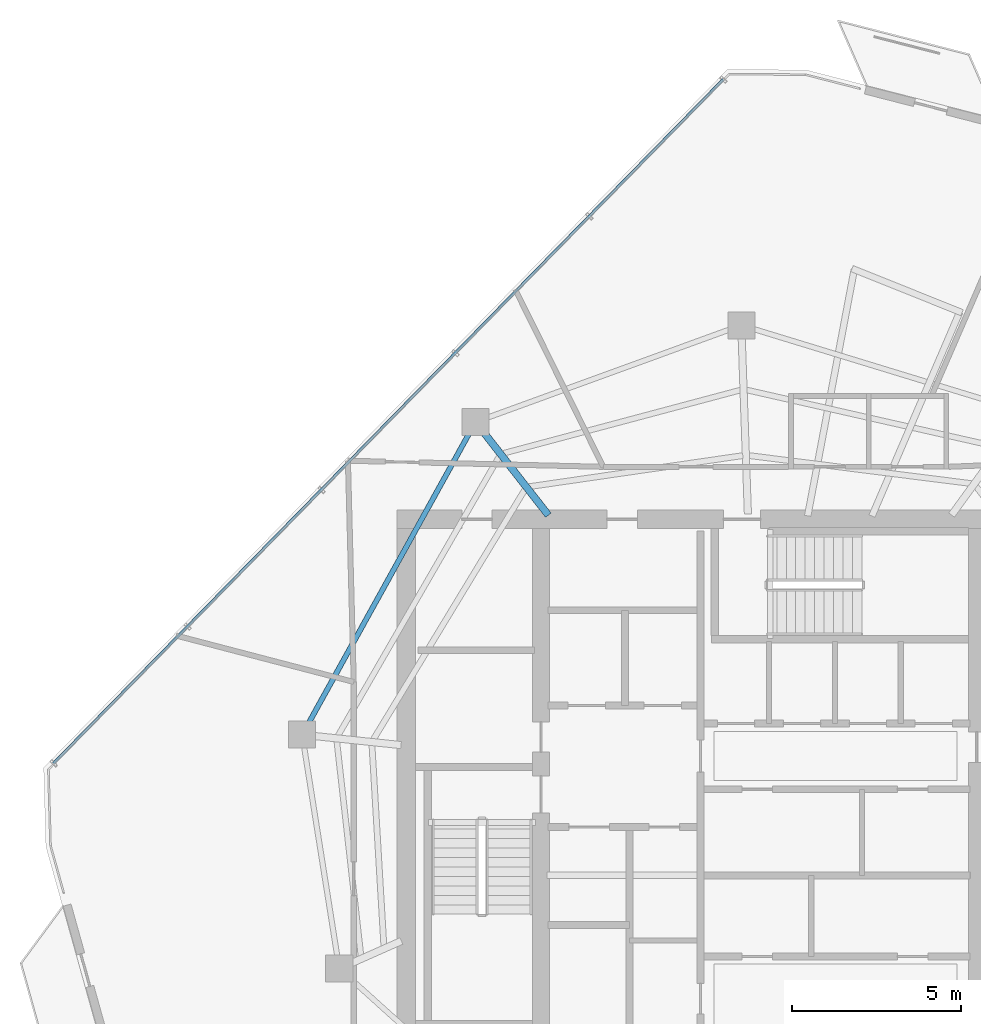
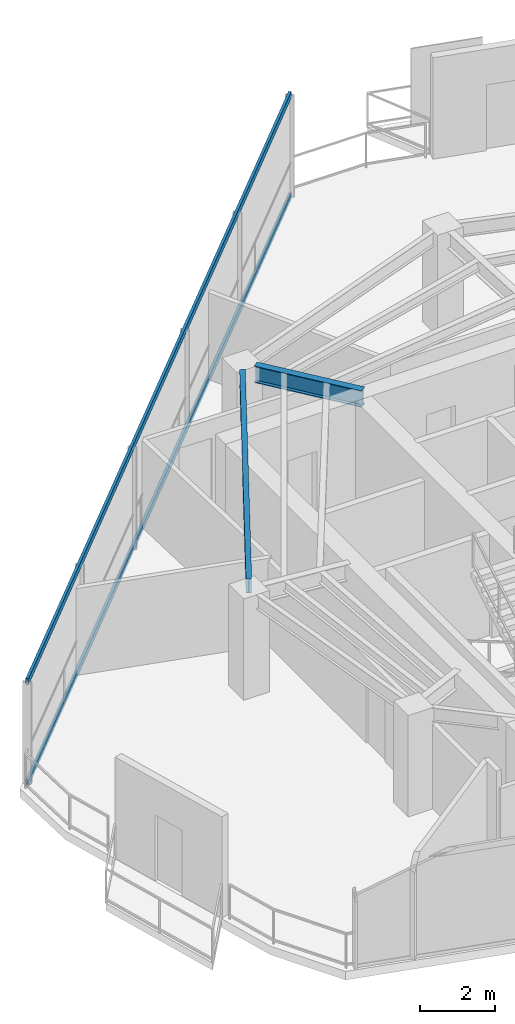
# One storey, part 7 of 18: 2 beams, 2 members, 1 element without a shape of its own.
"""IFC4 building model written with IfcOpenShell, lengths in metres."""

from ifc_helpers import new_model, si_unit, direction, frame, origin, origin_2d, place, context, subcontext, project, spatial, hollow_rectangle, i_section, extrude, material, layer, layer_set, material_profile, profile_set, type_object, element, aggregate, save


model = new_model("IFC4")

# Units and contexts
model_context = context("Model", 3, precision=1e-05, world=origin(), true_north=direction((0.0, 1.0)))
body_context = subcontext(model_context, "Body", "Model", "MODEL_VIEW")
ifc_project = project(units=[si_unit("LENGTHUNIT", "METRE"), si_unit("AREAUNIT", "SQUARE_METRE"), si_unit("VOLUMEUNIT", "CUBIC_METRE"), si_unit("PLANEANGLEUNIT", "RADIAN"), si_unit("MASSUNIT", "GRAM", prefix="KILO")], contexts=[model_context])

# Site, building, storey
site_placement = place(None, origin())
site = spatial("IfcSite", under=ifc_project, at=site_placement, CompositionType="ELEMENT")
building_placement = place(site_placement, origin())
building = spatial("IfcBuilding", under=site, at=building_placement, Name="Qarnah Convention Tower", CompositionType="ELEMENT")
storey_placement = place(building_placement, frame((0.0, 0.0, 239.10009765625)))
storey = spatial("IfcBuildingStorey", under=building, at=storey_placement, Name="L64", CompositionType="ELEMENT", Elevation=239.10009765625)

# Beams
ifc_material_1 = material(Name="Structural steel S355JR", Category="steel")
ifc_material_profile_1 = material_profile(ifc_material_1, i_section(OverallWidth=0.2119140625, OverallDepth=0.5400390625, WebThickness=0.011962890625, FlangeThickness=0.01904296875, at=origin_2d()), Name="W530X109")
ifc_profile_set_1 = profile_set([ifc_material_profile_1], Name="Structural steel S355JR")
beam_type_1 = type_object("IfcBeamType", Name="BM-RAD-W530A", PredefinedType="BEAM", material=ifc_profile_set_1)
beam_1_placement = place(storey_placement, frame((31.013916015625, 34.318115234375, 3.0498046875), z_axis=(-0.61549837076, 0.78813815768, 0.0), x_axis=(-0.78813815768, -0.61549837076, 0.0)))
element("IfcBeam", 1, at=beam_1_placement, inside=storey, type_object=beam_type_1, Name="L64 beam BM-L64-RAD-04", PredefinedType="BEAM", context=body_context, shape_type="SweptSolid", body=[
    extrude(i_section(OverallWidth=0.2119140625, OverallDepth=0.5400390625, WebThickness=0.011962890625, FlangeThickness=0.01904296875, at=origin_2d()), origin(), (0.0, 0.0, 1.0), 3.12255859375),
])
ifc_material_profile_2 = material_profile(ifc_material_1, i_section(OverallWidth=0.154052734375, OverallDepth=0.4599609375, WebThickness=0.009033203125, FlangeThickness=0.014892578125, at=origin_2d()), Name="W460X68")
ifc_profile_set_2 = profile_set([ifc_material_profile_2], Name="Structural steel S355JR")
beam_type_2 = type_object("IfcBeamType", Name="BM-SPN-W460B", PredefinedType="SPANDREL", material=ifc_profile_set_2)
beam_2_placement = place(storey_placement, frame((28.6689453125, 36.737060546875, 3.08984375), z_axis=(-0.48479748752, -0.87462643231, 0.0), x_axis=(0.87462643231, -0.48479748752, 0.0)))
element("IfcBeam", 2, at=beam_2_placement, inside=storey, type_object=beam_type_2, Name="L64 spandrel BM-L64-SPN-04", PredefinedType="SPANDREL", context=body_context, shape_type="SweptSolid", body=[
    extrude(i_section(OverallWidth=0.154052734375, OverallDepth=0.4599609375, WebThickness=0.009033203125, FlangeThickness=0.014892578125, at=origin_2d()), origin(), (0.0, 0.0, 1.0), 9.81005859375),
])

# Curtain wall, members
ifc_material_2 = material(Name="Tempered Low-E dark glass", Category="glass")
ifc_layer = layer(ifc_material_2, 0.176025390625)
ifc_layer_set = layer_set([ifc_layer], Name="Tempered Low-E dark glass")
curtain_wall_type = type_object("IfcCurtainWallType", Name="CWS-05", PredefinedType="NOTDEFINED", material=ifc_layer_set)
curtain_wall_placement = place(storey_placement, origin())
curtain_wall = element("IfcCurtainWall", 3, at=curtain_wall_placement, inside=storey, type_object=curtain_wall_type, Name="L64 unitised curtain wall CW-L64-F1", PredefinedType="NOTDEFINED")
ifc_material_3 = material(Name="Black anodised aluminium", Category="aluminium")
ifc_material_profile_3 = material_profile(ifc_material_3, hollow_rectangle(XDim=0.080078125, YDim=0.2099609375, WallThickness=0.0048828125, at=origin_2d()), Name="TRN-80X210")
ifc_profile_set_3 = profile_set([ifc_material_profile_3], Name="Black anodised aluminium")
member_type = type_object("IfcMemberType", Name="TRN-T5", PredefinedType="USERDEFINED", material=ifc_profile_set_3)
member_1_placement = place(storey_placement, frame((16.362060546875, 26.970947265625, 0.0), z_axis=(0.699638351624, 0.714497149705, 0.0), x_axis=(-0.714497149705, 0.699638351624, 0.0)))
member_1 = element("IfcMember", 4, at=member_1_placement, type_object=member_type, Name="CW-L64-F1 transom 1", ObjectType="TRANSOM", PredefinedType="USERDEFINED", context=body_context, shape_type="SweptSolid", body=[
    extrude(hollow_rectangle(XDim=0.080078125, YDim=0.2099609375, WallThickness=0.0048828125, at=origin_2d()), origin(), (0.0, 0.0, 1.0), 28.343017578125),
])
member_2_placement = place(storey_placement, frame((16.362060546875, 26.970947265625, 3.31982421875), z_axis=(0.699638351624, 0.714497149705, 0.0), x_axis=(-0.714497149705, 0.699638351624, 0.0)))
member_2 = element("IfcMember", 5, at=member_2_placement, type_object=member_type, Name="CW-L64-F1 transom 2", ObjectType="TRANSOM", PredefinedType="USERDEFINED", context=body_context, shape_type="SweptSolid", body=[
    extrude(hollow_rectangle(XDim=0.080078125, YDim=0.2099609375, WallThickness=0.0048828125, at=origin_2d()), origin(), (0.0, 0.0, 1.0), 28.343017578125),
])
aggregate(curtain_wall, [member_1, member_2])

save(model, "model.ifc")
